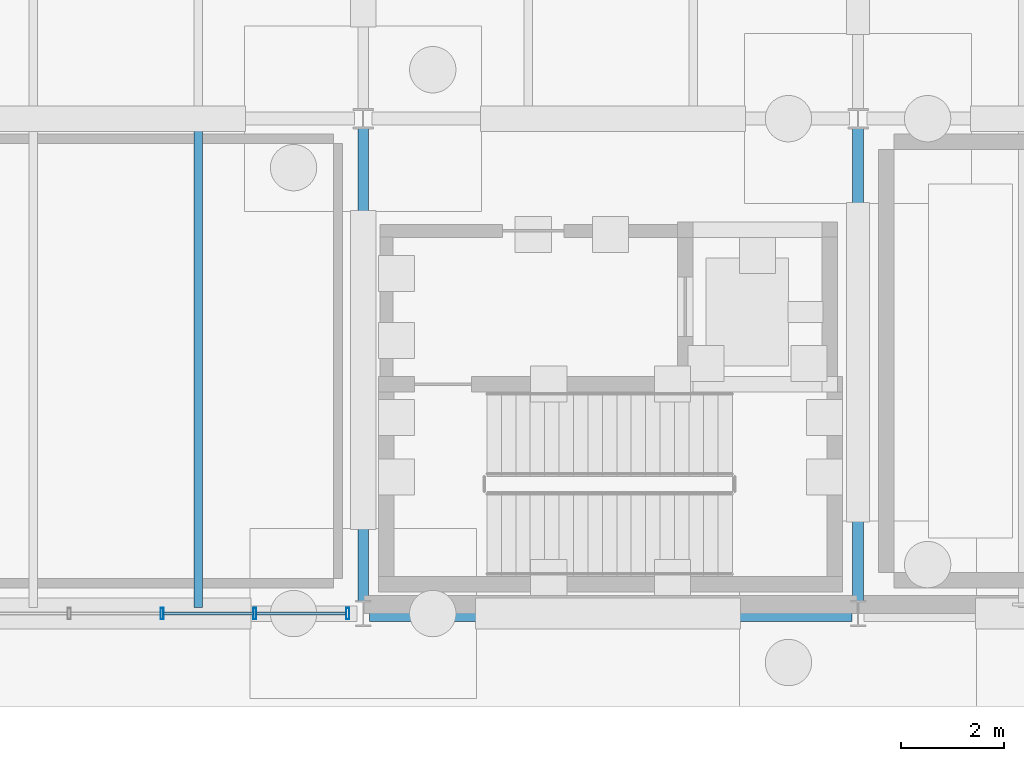
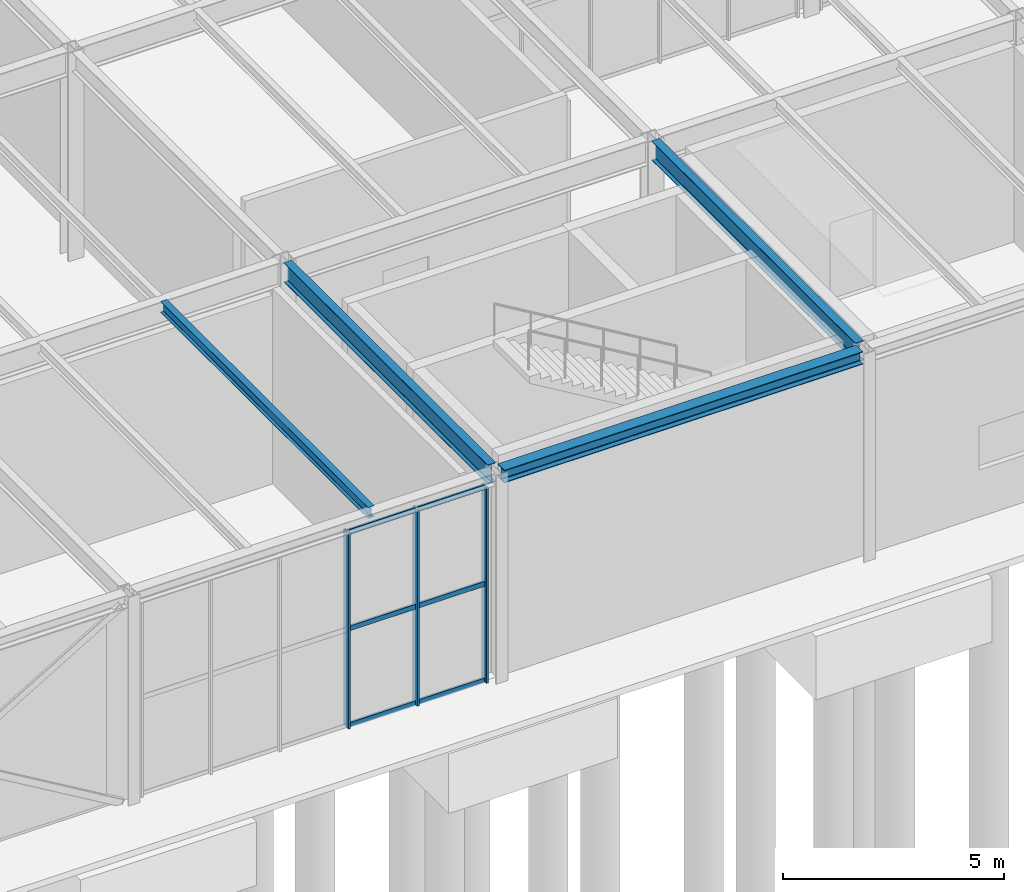
# One storey, part 35 of 142: 9 members, 4 beams, 1 element without a shape of its own.
"""IFC4 building model written with IfcOpenShell, lengths in metres."""

from ifc_helpers import new_model, si_unit, direction, frame, origin, origin_2d, place, context, subcontext, project, spatial, hollow_rectangle, i_section, extrude, material, material_profile, profile_set, type_object, element, aggregate, save


model = new_model("IFC4")

# Units and contexts
model_context = context("Model", 3, precision=1e-05, world=origin(), true_north=direction((0.0, 1.0)))
body_context = subcontext(model_context, "Body", "Model", "MODEL_VIEW")
ifc_project = project(units=[si_unit("LENGTHUNIT", "METRE"), si_unit("AREAUNIT", "SQUARE_METRE"), si_unit("VOLUMEUNIT", "CUBIC_METRE"), si_unit("PLANEANGLEUNIT", "RADIAN"), si_unit("MASSUNIT", "GRAM", prefix="KILO")], contexts=[model_context])

# Site, building, storey
site_placement = place(None, origin())
site = spatial("IfcSite", under=ifc_project, at=site_placement, CompositionType="ELEMENT")
building_placement = place(site_placement, origin())
building = spatial("IfcBuilding", under=site, at=building_placement, Name="Coralgate Yard Interchange", CompositionType="ELEMENT")
storey_placement = place(building_placement, origin())
storey = spatial("IfcBuildingStorey", under=building, at=storey_placement, Name="L00", CompositionType="ELEMENT", Elevation=0.0)

# Beams
ifc_material_1 = material(Name="Structural steel S355J2", Category="steel")
ifc_material_profile_1 = material_profile(ifc_material_1, i_section(OverallWidth=0.209228515625, OverallDepth=0.533203125, WebThickness=0.010009765625, FlangeThickness=0.015625, FilletRadius=0.0126953125, at=origin_2d()), Name="UB 533x210x92")
ifc_profile_set_1 = profile_set([ifc_material_profile_1], Name="Structural steel S355J2")
beam_type_1 = type_object("IfcBeamType", Name="BM-SB-1", PredefinedType="BEAM", material=ifc_profile_set_1)
for number, where, z_axis, x_axis, name in (
    (1, (19.199951171875, 0.219970703125, 5.4833984375), (0.0, 1.0, 0.0), (-1.0, 0.0, 0.0), "L00 primary grid girder X2 Y0-1"),
    (2, (28.800048828125, 0.219970703125, 5.4833984375), (0.0, 1.0, 0.0), (-1.0, 0.0, 0.0), "L00 primary grid girder X3 Y0-1"),
):
    element("IfcBeam", number, at=place(storey_placement, frame(where, z_axis=z_axis, x_axis=x_axis)), inside=storey, type_object=beam_type_1, Name=name, PredefinedType="BEAM", context=body_context, shape_type="SweptSolid", body=[
        extrude(i_section(OverallWidth=0.209228515625, OverallDepth=0.533203125, WebThickness=0.010009765625, FlangeThickness=0.015625, FilletRadius=0.0126953125, at=origin_2d()), origin(), (0.0, 0.0, 1.0), 9.213134765625),
    ])
ifc_material_profile_2 = material_profile(ifc_material_1, i_section(OverallWidth=0.1650390625, OverallDepth=0.303466796875, WebThickness=0.006103515625, FlangeThickness=0.01025390625, FilletRadius=0.0087890625, at=origin_2d()), Name="UB 305x165x40")
ifc_profile_set_2 = profile_set([ifc_material_profile_2], Name="Structural steel S355J2")
beam_type_2 = type_object("IfcBeamType", Name="BM-SJ-1", PredefinedType="JOIST", material=ifc_profile_set_2)
beam_1_placement = place(storey_placement, frame((16.0, 0.1201171875, 5.598388671875), z_axis=(0.0, 1.0, 0.0), x_axis=(-1.0, 0.0, 0.0)))
element("IfcBeam", 3, at=beam_1_placement, inside=storey, type_object=beam_type_2, Name="L00 composite floor joist 1-0-2", PredefinedType="JOIST", context=body_context, shape_type="SweptSolid", body=[
    extrude(i_section(OverallWidth=0.1650390625, OverallDepth=0.303466796875, WebThickness=0.006103515625, FlangeThickness=0.01025390625, FilletRadius=0.0087890625, at=origin_2d()), origin(), (0.0, 0.0, 1.0), 9.383056640625),
])
ifc_material_profile_3 = material_profile(ifc_material_1, i_section(OverallWidth=0.300048828125, OverallDepth=0.35009765625, WebThickness=0.010009765625, FlangeThickness=0.017578125, FilletRadius=0.027099609375, at=origin_2d()), Name="HEA 360")
ifc_profile_set_3 = profile_set([ifc_material_profile_3], Name="Structural steel S355J2")
beam_type_3 = type_object("IfcBeamType", Name="BM-SP-1", PredefinedType="SPANDREL", material=ifc_profile_set_3)
beam_2_placement = place(storey_placement, frame((19.320068359375, 0.0, 5.574951171875), z_axis=(1.0, 0.0, 0.0), x_axis=(0.0, 1.0, 0.0)))
element("IfcBeam", 4, at=beam_2_placement, inside=storey, type_object=beam_type_3, Name="L00 primary grid beam Y0 X2-3", PredefinedType="SPANDREL", context=body_context, shape_type="SweptSolid", body=[
    extrude(i_section(OverallWidth=0.300048828125, OverallDepth=0.35009765625, WebThickness=0.010009765625, FlangeThickness=0.017578125, FilletRadius=0.027099609375, at=origin_2d()), origin(), (0.0, 0.0, 1.0), 9.35986328125),
])

# Curtain wall, members
ifc_material_2 = material(Name="Anodised coastal aluminium and solar-control low-E glass", Category="aluminium")
curtain_wall_type = type_object("IfcCurtainWallType", Name="CW-CW-L00-A", PredefinedType="NOTDEFINED", material=ifc_material_2)
curtain_wall_placement = place(storey_placement, origin())
curtain_wall = element("IfcCurtainWall", 5, at=curtain_wall_placement, inside=storey, type_object=curtain_wall_type, Name="L00 unitised curtain wall CW-L00-S-01-00", PredefinedType="NOTDEFINED")
ifc_material_3 = material(Name="Anodised coastal aluminium 6063-T6", Category="aluminium")
ifc_material_profile_4 = material_profile(ifc_material_3, hollow_rectangle(XDim=0.06005859375, YDim=0.219970703125, WallThickness=0.00390625, InnerFilletRadius=0.00390625, OuterFilletRadius=0.008056640625, at=origin_2d()), Name="ALU 60x220x4")
ifc_profile_set_4 = profile_set([ifc_material_profile_4], Name="Anodised coastal aluminium 6063-T6")
member_type_1 = type_object("IfcMemberType", Name="MB-MUL-220", PredefinedType="MULLION", material=ifc_profile_set_4)
member_1_placement = place(storey_placement, frame((18.89990234375, 0.0, 0.0), z_axis=(0.0, 0.0, 1.0), x_axis=(1.0, 0.0, 0.0)))
member_1 = element("IfcMember", 6, at=member_1_placement, type_object=member_type_1, Name="CW-L00-S-01-00 vertical mullion 1", PredefinedType="MULLION", context=body_context, shape_type="SweptSolid", body=[
    extrude(hollow_rectangle(XDim=0.06005859375, YDim=0.219970703125, WallThickness=0.00390625, InnerFilletRadius=0.00390625, OuterFilletRadius=0.008056640625, at=origin_2d()), origin(), (0.0, 0.0, 1.0), 5.39990234375),
])
member_2_placement = place(storey_placement, frame((17.10009765625, 0.0, 0.0), z_axis=(0.0, 0.0, 1.0), x_axis=(1.0, 0.0, 0.0)))
member_2 = element("IfcMember", 7, at=member_2_placement, type_object=member_type_1, Name="CW-L00-S-01-00 vertical mullion 2", PredefinedType="MULLION", context=body_context, shape_type="SweptSolid", body=[
    extrude(hollow_rectangle(XDim=0.06005859375, YDim=0.219970703125, WallThickness=0.00390625, InnerFilletRadius=0.00390625, OuterFilletRadius=0.008056640625, at=origin_2d()), origin(), (0.0, 0.0, 1.0), 5.39990234375),
])
member_3_placement = place(storey_placement, frame((15.300048828125, 0.0, 0.0), z_axis=(0.0, 0.0, 1.0), x_axis=(1.0, 0.0, 0.0)))
member_3 = element("IfcMember", 8, at=member_3_placement, type_object=member_type_1, Name="CW-L00-S-01-00 vertical mullion 3", PredefinedType="MULLION", context=body_context, shape_type="SweptSolid", body=[
    extrude(hollow_rectangle(XDim=0.06005859375, YDim=0.219970703125, WallThickness=0.00390625, InnerFilletRadius=0.00390625, OuterFilletRadius=0.008056640625, at=origin_2d()), origin(), (0.0, 0.0, 1.0), 5.39990234375),
])
ifc_material_profile_5 = material_profile(ifc_material_3, hollow_rectangle(XDim=0.06005859375, YDim=0.139892578125, WallThickness=0.00341796875, InnerFilletRadius=0.00341796875, OuterFilletRadius=0.007080078125, at=origin_2d()), Name="ALU 60x140x3.5")
ifc_profile_set_5 = profile_set([ifc_material_profile_5], Name="Anodised coastal aluminium 6063-T6")
member_type_2 = type_object("IfcMemberType", Name="MB-TRN-140", PredefinedType="USERDEFINED", material=ifc_profile_set_5)
member_4_placement = place(storey_placement, frame((18.8701171875, 0.0, 0.034912109375), z_axis=(-1.0, 0.0, 0.0), x_axis=(0.0, -1.0, 0.0)))
member_4 = element("IfcMember", 9, at=member_4_placement, type_object=member_type_2, Name="CW-L00-S-01-00 horizontal transom 1-1", ObjectType="TRANSOM", PredefinedType="USERDEFINED", context=body_context, shape_type="SweptSolid", body=[
    extrude(hollow_rectangle(XDim=0.06005859375, YDim=0.139892578125, WallThickness=0.00341796875, InnerFilletRadius=0.00341796875, OuterFilletRadius=0.007080078125, at=origin_2d()), origin(), (0.0, 0.0, 1.0), 1.740234375),
])
member_5_placement = place(storey_placement, frame((18.8701171875, 0.0, 2.699951171875), z_axis=(-1.0, 0.0, 0.0), x_axis=(0.0, -1.0, 0.0)))
member_5 = element("IfcMember", 10, at=member_5_placement, type_object=member_type_2, Name="CW-L00-S-01-00 horizontal transom 1-2", ObjectType="TRANSOM", PredefinedType="USERDEFINED", context=body_context, shape_type="SweptSolid", body=[
    extrude(hollow_rectangle(XDim=0.06005859375, YDim=0.139892578125, WallThickness=0.00341796875, InnerFilletRadius=0.00341796875, OuterFilletRadius=0.007080078125, at=origin_2d()), origin(), (0.0, 0.0, 1.0), 1.740234375),
])
member_6_placement = place(storey_placement, frame((18.8701171875, 0.0, 5.364990234375), z_axis=(-1.0, 0.0, 0.0), x_axis=(0.0, -1.0, 0.0)))
member_6 = element("IfcMember", 11, at=member_6_placement, type_object=member_type_2, Name="CW-L00-S-01-00 horizontal transom 1-3", ObjectType="TRANSOM", PredefinedType="USERDEFINED", context=body_context, shape_type="SweptSolid", body=[
    extrude(hollow_rectangle(XDim=0.06005859375, YDim=0.139892578125, WallThickness=0.00341796875, InnerFilletRadius=0.00341796875, OuterFilletRadius=0.007080078125, at=origin_2d()), origin(), (0.0, 0.0, 1.0), 1.740234375),
])
member_7_placement = place(storey_placement, frame((17.070068359375, 0.0, 0.034912109375), z_axis=(-1.0, 0.0, 0.0), x_axis=(0.0, -1.0, 0.0)))
member_7 = element("IfcMember", 12, at=member_7_placement, type_object=member_type_2, Name="CW-L00-S-01-00 horizontal transom 2-1", ObjectType="TRANSOM", PredefinedType="USERDEFINED", context=body_context, shape_type="SweptSolid", body=[
    extrude(hollow_rectangle(XDim=0.06005859375, YDim=0.139892578125, WallThickness=0.00341796875, InnerFilletRadius=0.00341796875, OuterFilletRadius=0.007080078125, at=origin_2d()), origin(), (0.0, 0.0, 1.0), 1.739990234375),
])
member_8_placement = place(storey_placement, frame((17.070068359375, 0.0, 2.699951171875), z_axis=(-1.0, 0.0, 0.0), x_axis=(0.0, -1.0, 0.0)))
member_8 = element("IfcMember", 13, at=member_8_placement, type_object=member_type_2, Name="CW-L00-S-01-00 horizontal transom 2-2", ObjectType="TRANSOM", PredefinedType="USERDEFINED", context=body_context, shape_type="SweptSolid", body=[
    extrude(hollow_rectangle(XDim=0.06005859375, YDim=0.139892578125, WallThickness=0.00341796875, InnerFilletRadius=0.00341796875, OuterFilletRadius=0.007080078125, at=origin_2d()), origin(), (0.0, 0.0, 1.0), 1.739990234375),
])
member_9_placement = place(storey_placement, frame((17.070068359375, 0.0, 5.364990234375), z_axis=(-1.0, 0.0, 0.0), x_axis=(0.0, -1.0, 0.0)))
member_9 = element("IfcMember", 14, at=member_9_placement, type_object=member_type_2, Name="CW-L00-S-01-00 horizontal transom 2-3", ObjectType="TRANSOM", PredefinedType="USERDEFINED", context=body_context, shape_type="SweptSolid", body=[
    extrude(hollow_rectangle(XDim=0.06005859375, YDim=0.139892578125, WallThickness=0.00341796875, InnerFilletRadius=0.00341796875, OuterFilletRadius=0.007080078125, at=origin_2d()), origin(), (0.0, 0.0, 1.0), 1.739990234375),
])
aggregate(curtain_wall, [member_1, member_2, member_3, member_4, member_5, member_6, member_7, member_8, member_9])

save(model, "model.ifc")
